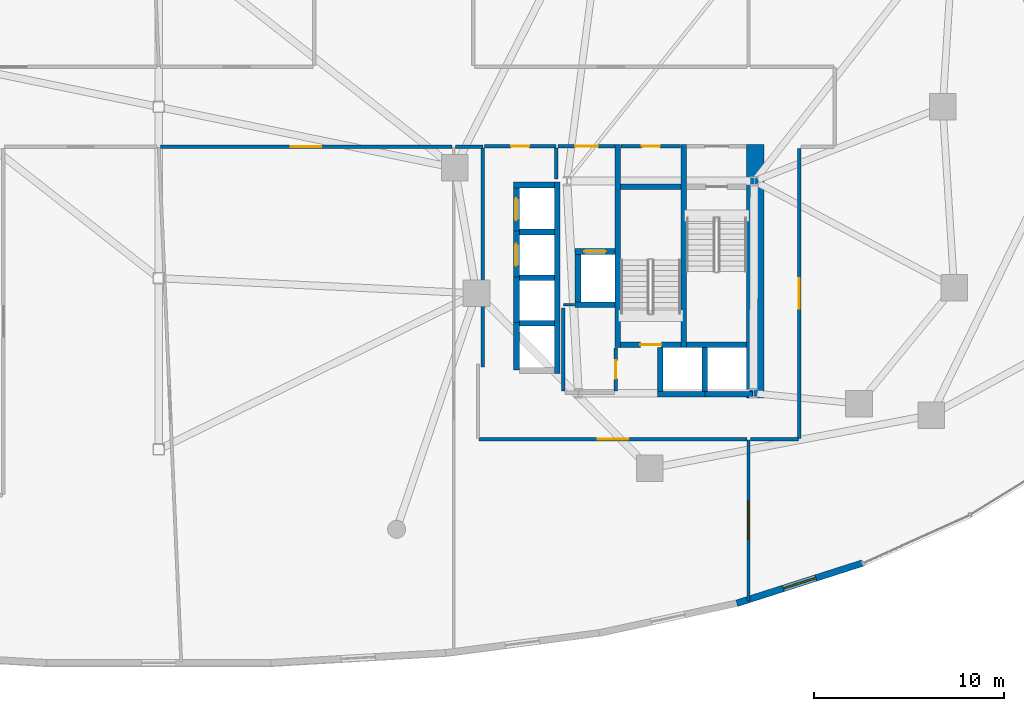
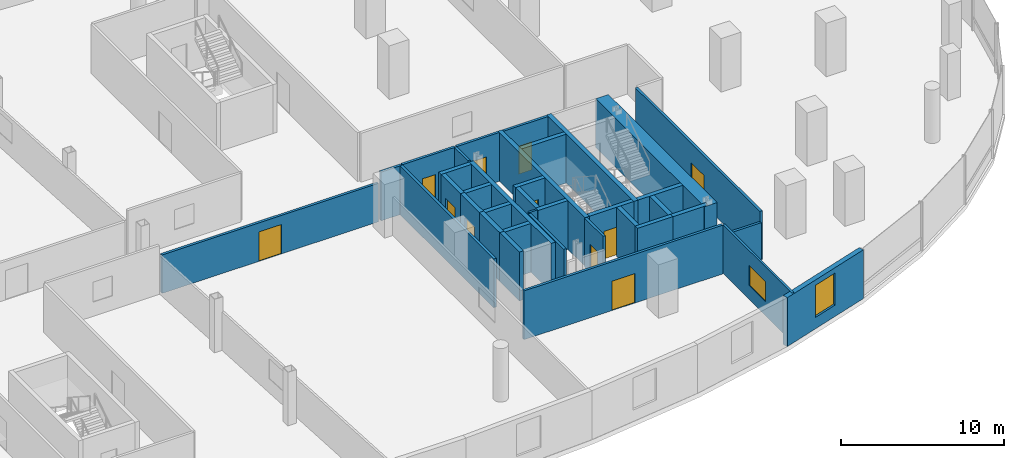
# One storey, part 15 of 19: 37 walls, 11 doors, 2 windows, 13 openings.
"""IFC4 building model written with IfcOpenShell, lengths in metres."""

from ifc_helpers import new_model, si_unit, direction, frame, frame_2d, origin, place, context, subcontext, project, spatial, rectangle, extrude, material, layer, layer_set, type_object, element, fill, save


model = new_model("IFC4")

# Units and contexts
model_context = context("Model", 3, precision=1e-05, world=origin(), true_north=direction((0.0, 1.0)))
body_context = subcontext(model_context, "Body", "Model", "MODEL_VIEW")
ifc_project = project(units=[si_unit("LENGTHUNIT", "METRE"), si_unit("AREAUNIT", "SQUARE_METRE"), si_unit("VOLUMEUNIT", "CUBIC_METRE"), si_unit("PLANEANGLEUNIT", "RADIAN"), si_unit("MASSUNIT", "GRAM", prefix="KILO"), si_unit("THERMODYNAMICTEMPERATUREUNIT", "KELVIN"), si_unit("POWERUNIT", "WATT")], contexts=[model_context])

# Site, building, storey
site_placement = place(None, origin())
site = spatial("IfcSite", under=ifc_project, at=site_placement, CompositionType="ELEMENT")
building_placement = place(site_placement, origin())
building = spatial("IfcBuilding", under=site, at=building_placement, Name="Cundina Bronze Exchange", CompositionType="ELEMENT")
storey_placement = place(building_placement, frame((0.0, 0.0, 16.0)))
storey = spatial("IfcBuildingStorey", under=building, at=storey_placement, Name="L03", CompositionType="ELEMENT", Elevation=16.0)

# Wall
ifc_material_1 = material(Name="Gypsum Fireboard Partition EI120")
ifc_layer_1 = layer(ifc_material_1, 0.179931640625, Name="Gypsum Fireboard Partition EI120")
ifc_layer_set_1 = layer_set([ifc_layer_1], Name="Gypsum Fireboard Partition EI120")
wall_type_1 = type_object("IfcWallType", Name="WL-COR-180", PredefinedType="PARTITIONING", material=ifc_layer_set_1)
wall_1_placement = place(storey_placement, frame((20.889892578125, -3.800048828125, 0.0), z_axis=(0.0, 0.0, 1.0), x_axis=(0.0, 1.0, 0.0)))
element("IfcWall", 1, at=wall_1_placement, inside=storey, type_object=wall_type_1, Name="L03 E Firefighting Lobby Side Wall", PredefinedType="PARTITIONING", context=body_context, shape_type="SweptSolid", body=[
    extrude(rectangle(XDim=1.650146484375, YDim=0.179931640625, at=frame_2d((0.8251953125, 0.0))), origin(), (0.0, 0.0, 1.0), 3.64990234375),
])

# Wall, opening, door
wall_2_placement = place(storey_placement, frame((20.97998046875, -2.06005859375, 0.0), z_axis=(0.0, 0.0, 1.0), x_axis=(1.0, 0.0, 0.0)))
wall_2 = element("IfcWall", 2, at=wall_2_placement, inside=storey, type_object=wall_type_1, Name="L03 E Firefighting Lobby Exit Wall", PredefinedType="PARTITIONING", context=body_context, shape_type="SweptSolid", body=[
    extrude(rectangle(XDim=3.0, YDim=0.179931640625, at=frame_2d((1.5, 0.0))), origin(), (0.0, 0.0, 1.0), 3.64990234375),
])
opening_1_placement = place(wall_2_placement, frame((0.89990234375, 0.0, 0.0)))
opening_1 = element("IfcOpeningElement", 3, at=opening_1_placement, cuts=wall_2, Name="Opening DF-01", PredefinedType="OPENING", context=body_context, shape_type="SweptSolid", body=[
    extrude(rectangle(XDim=1.199951171875, YDim=2.14990234375, at=frame_2d((0.60009765625, 1.074951171875))), frame((0.0, 0.099853515625, 0.0), z_axis=(0.0, -1.0, 0.0), x_axis=(1.0, 0.0, 0.0)), (0.0, 0.0, 1.0), 0.199951171875),
])
ifc_material_2 = material(Name="Steel ASTM A36 Painted", Category="steel")
door_type_1 = type_object("IfcDoorType", Name="DR-FFL-1200", OperationType="NOTDEFINED", PredefinedType="DOOR", material=ifc_material_2)
door_1_placement = place(opening_1_placement, origin())
door_1 = element("IfcDoor", 4, at=door_1_placement, inside=storey, type_object=door_type_1, Name="L03 E Firefighting Lobby Door", OperationType="SINGLE_SWING_LEFT", OverallHeight=2.14990234375, OverallWidth=1.199951171875, PredefinedType="DOOR", context=body_context, shape_type="SweptSolid", body=[
    extrude(rectangle(XDim=1.199951171875, YDim=2.14990234375, at=frame_2d((0.60009765625, 1.074951171875))), frame((0.0, 0.02490234375, 0.0), z_axis=(0.0, -1.0, 0.0), x_axis=(1.0, 0.0, 0.0)), (0.0, 0.0, 1.0), 0.050048828125),
])
fill(opening_1, door_1)

# Wall
wall_3_placement = place(storey_placement, frame((17.02001953125, -13.679931640625, 0.0), z_axis=(0.0, 0.0, 1.0), x_axis=(0.0, 1.0, 0.0)))
element("IfcWall", 5, at=wall_3_placement, inside=storey, type_object=wall_type_1, Name="L03 Interior Partition 008", PredefinedType="PARTITIONING", context=body_context, shape_type="SweptSolid", body=[
    extrude(rectangle(XDim=11.510009765625, YDim=0.179931640625, at=frame_2d((5.7548828125, 0.0))), origin(), (0.0, 0.0, 1.0), 3.64990234375),
])

# Wall, opening, door
wall_4_placement = place(storey_placement, frame((17.1201171875, -2.070068359375, 0.0), z_axis=(0.0, 0.0, 1.0), x_axis=(1.0, 0.0, 0.0)))
wall_4 = element("IfcWall", 6, at=wall_4_placement, inside=storey, type_object=wall_type_1, Name="L03 Interior Partition 009", PredefinedType="PARTITIONING", context=body_context, shape_type="SweptSolid", body=[
    extrude(rectangle(XDim=3.75, YDim=0.179931640625, at=frame_2d((1.875, 0.0))), origin(), (0.0, 0.0, 1.0), 3.64990234375),
])
opening_2_placement = place(wall_4_placement, frame((1.39990234375, 0.0, 0.0)))
opening_2 = element("IfcOpeningElement", 7, at=opening_2_placement, cuts=wall_4, Name="Opening DW-01", PredefinedType="OPENING", context=body_context, shape_type="SweptSolid", body=[
    extrude(rectangle(XDim=0.949951171875, YDim=2.10009765625, at=frame_2d((0.47509765625, 1.050048828125))), frame((0.0, 0.099853515625, 0.0), z_axis=(0.0, -1.0, 0.0), x_axis=(1.0, 0.0, 0.0)), (0.0, 0.0, 1.0), 0.199951171875),
])
ifc_material_3 = material(Name="Solid Andean Oak Timber Grade A", Category="wood")
door_type_2 = type_object("IfcDoorType", Name="DR-WC-950", OperationType="NOTDEFINED", PredefinedType="DOOR", material=ifc_material_3)
door_2_placement = place(opening_2_placement, origin())
door_2 = element("IfcDoor", 8, at=door_2_placement, inside=storey, type_object=door_type_2, Name="L03 Interior Door 009", OperationType="SINGLE_SWING_RIGHT", OverallHeight=2.10009765625, OverallWidth=0.949951171875, PredefinedType="DOOR", context=body_context, shape_type="SweptSolid", body=[
    extrude(rectangle(XDim=0.949951171875, YDim=2.10009765625, at=frame_2d((0.47509765625, 1.050048828125))), frame((0.0, 0.02490234375, 0.0), z_axis=(0.0, -1.0, 0.0), x_axis=(1.0, 0.0, 0.0)), (0.0, 0.0, 1.0), 0.050048828125),
])
fill(opening_2, door_2)

# Wall
wall_5_placement = place(storey_placement, frame((21.25, -14.929931640625, 0.0), z_axis=(0.0, 0.0, 1.0), x_axis=(0.0, 1.0, 0.0)))
element("IfcWall", 9, at=wall_5_placement, inside=storey, type_object=wall_type_1, Name="L03 Interior Partition 011", PredefinedType="PARTITIONING", context=body_context, shape_type="SweptSolid", body=[
    extrude(rectangle(XDim=4.35986328125, YDim=0.179931640625, at=frame_2d((2.179931640625, 0.0))), origin(), (0.0, 0.0, 1.0), 3.64990234375),
])

# Wall, opening, door
wall_6_placement = place(storey_placement, frame((24.300048828125, -2.070068359375, 0.0), z_axis=(0.0, 0.0, 1.0), x_axis=(1.0, 0.0, 0.0)))
wall_6 = element("IfcWall", 10, at=wall_6_placement, inside=storey, type_object=wall_type_1, Name="L03 Interior Partition 013", PredefinedType="PARTITIONING", context=body_context, shape_type="SweptSolid", body=[
    extrude(rectangle(XDim=3.119873046875, YDim=0.179931640625, at=frame_2d((1.56005859375, 0.0))), origin(), (0.0, 0.0, 1.0), 3.64990234375),
])
opening_3_placement = place(wall_6_placement, frame((1.0849609375, 0.0, 0.0)))
opening_3 = element("IfcOpeningElement", 11, at=opening_3_placement, cuts=wall_6, Name="Opening DW-01", PredefinedType="OPENING", context=body_context, shape_type="SweptSolid", body=[
    extrude(rectangle(XDim=0.949951171875, YDim=2.10009765625, at=frame_2d((0.47509765625, 1.050048828125))), frame((0.0, 0.099853515625, 0.0), z_axis=(0.0, -1.0, 0.0), x_axis=(1.0, 0.0, 0.0)), (0.0, 0.0, 1.0), 0.199951171875),
])
door_3_placement = place(opening_3_placement, origin())
door_3 = element("IfcDoor", 12, at=door_3_placement, inside=storey, type_object=door_type_2, Name="L03 Interior Door 013", OperationType="SINGLE_SWING_RIGHT", OverallHeight=2.10009765625, OverallWidth=0.949951171875, PredefinedType="DOOR", context=body_context, shape_type="SweptSolid", body=[
    extrude(rectangle(XDim=0.949951171875, YDim=2.10009765625, at=frame_2d((0.47509765625, 1.050048828125))), frame((0.0, 0.02490234375, 0.0), z_axis=(0.0, -1.0, 0.0), x_axis=(1.0, 0.0, 0.0)), (0.0, 0.0, 1.0), 0.050048828125),
])
fill(opening_3, door_3)

wall_7_placement = place(storey_placement, frame((24.02001953125, -14.929931640625, 0.0), z_axis=(0.0, 0.0, 1.0), x_axis=(0.0, 1.0, 0.0)))
wall_7 = element("IfcWall", 13, at=wall_7_placement, inside=storey, type_object=wall_type_1, Name="L03 Interior Partition 014", PredefinedType="PARTITIONING", context=body_context, shape_type="SweptSolid", body=[
    extrude(rectangle(XDim=2.260009765625, YDim=0.179931640625, at=frame_2d((1.1298828125, 0.0))), origin(), (0.0, 0.0, 1.0), 3.64990234375),
])
opening_4_placement = place(wall_7_placement, frame((0.655029296875, 0.0, 0.0)))
opening_4 = element("IfcOpeningElement", 14, at=opening_4_placement, cuts=wall_7, Name="Opening DW-01", PredefinedType="OPENING", context=body_context, shape_type="SweptSolid", body=[
    extrude(rectangle(XDim=0.949951171875, YDim=2.10009765625, at=frame_2d((0.47509765625, 1.050048828125))), frame((0.0, 0.099853515625, 0.0), z_axis=(0.0, -1.0, 0.0), x_axis=(1.0, 0.0, 0.0)), (0.0, 0.0, 1.0), 0.199951171875),
])
door_4_placement = place(opening_4_placement, origin())
door_4 = element("IfcDoor", 15, at=door_4_placement, inside=storey, type_object=door_type_2, Name="L03 Interior Door 014", OperationType="SINGLE_SWING_RIGHT", OverallHeight=2.10009765625, OverallWidth=0.949951171875, PredefinedType="DOOR", context=body_context, shape_type="SweptSolid", body=[
    extrude(rectangle(XDim=0.949951171875, YDim=2.10009765625, at=frame_2d((0.47509765625, 1.050048828125))), frame((0.0, 0.02490234375, 0.0), z_axis=(0.0, -1.0, 0.0), x_axis=(1.0, 0.0, 0.0)), (0.0, 0.0, 1.0), 0.050048828125),
])
fill(opening_4, door_4)

wall_8_placement = place(storey_placement, frame((16.821533203125, -17.469970703125, 0.0), z_axis=(0.0, 0.0, 1.0), x_axis=(1.0, 0.0, 0.0)))
wall_8 = element("IfcWall", 16, at=wall_8_placement, inside=storey, type_object=wall_type_1, Name="L03 Interior Partition 035", PredefinedType="PARTITIONING", context=body_context, shape_type="SweptSolid", body=[
    extrude(rectangle(XDim=14.08349609375, YDim=0.179931640625, at=frame_2d((7.041748046875, 0.0))), origin(), (0.0, 0.0, 1.0), 3.64990234375),
])
opening_5_placement = place(wall_8_placement, frame((6.24169921875, 0.0, 0.0)))
opening_5 = element("IfcOpeningElement", 17, at=opening_5_placement, cuts=wall_8, Name="Opening DO-02", PredefinedType="OPENING", context=body_context, shape_type="SweptSolid", body=[
    extrude(rectangle(XDim=1.60009765625, YDim=2.199951171875, at=frame_2d((0.800048828125, 1.10009765625))), frame((0.0, 0.099853515625, 0.0), z_axis=(0.0, -1.0, 0.0), x_axis=(1.0, 0.0, 0.0)), (0.0, 0.0, 1.0), 0.199951171875),
])
door_type_3 = type_object("IfcDoorType", Name="DR-TRD-1600", OperationType="NOTDEFINED", PredefinedType="DOOR", material=ifc_material_3)
door_5_placement = place(opening_5_placement, origin())
door_5 = element("IfcDoor", 18, at=door_5_placement, inside=storey, type_object=door_type_3, Name="L03 Interior Door 035", OperationType="SINGLE_SWING_RIGHT", OverallHeight=2.199951171875, OverallWidth=1.60009765625, PredefinedType="DOOR", context=body_context, shape_type="SweptSolid", body=[
    extrude(rectangle(XDim=1.60009765625, YDim=2.199951171875, at=frame_2d((0.800048828125, 1.10009765625))), frame((0.0, 0.02490234375, 0.0), z_axis=(0.0, -1.0, 0.0), x_axis=(1.0, 0.0, 0.0)), (0.0, 0.0, 1.0), 0.050048828125),
])
fill(opening_5, door_5)

# Wall
wall_9_placement = place(storey_placement, frame((15.594970703125, -2.10009765625, 0.0), z_axis=(0.0, 0.0, 1.0), x_axis=(1.0, 0.0, 0.0)))
element("IfcWall", 19, at=wall_9_placement, inside=storey, type_object=wall_type_1, Name="L03 Interior Partition 037", PredefinedType="PARTITIONING", context=body_context, shape_type="SweptSolid", body=[
    extrude(rectangle(XDim=1.445068359375, YDim=0.179931640625, at=frame_2d((0.72265625, 0.0))), origin(), (0.0, 0.0, 1.0), 3.64990234375),
])

# Wall, opening, door
wall_10_placement = place(storey_placement, frame((0.094970703125, -2.10009765625, 0.0), z_axis=(0.0, 0.0, 1.0), x_axis=(1.0, 0.0, 0.0)))
wall_10 = element("IfcWall", 20, at=wall_10_placement, inside=storey, type_object=wall_type_1, Name="L03 Interior Partition 041", PredefinedType="PARTITIONING", context=body_context, shape_type="SweptSolid", body=[
    extrude(rectangle(XDim=15.31005859375, YDim=0.179931640625, at=frame_2d((7.655029296875, 0.0))), origin(), (0.0, 0.0, 1.0), 2.876953125),
])
opening_6_placement = place(wall_10_placement, frame((6.85498046875, 0.0, 0.0)))
opening_6 = element("IfcOpeningElement", 21, at=opening_6_placement, cuts=wall_10, Name="Opening DO-02", PredefinedType="OPENING", context=body_context, shape_type="SweptSolid", body=[
    extrude(rectangle(XDim=1.60009765625, YDim=2.199951171875, at=frame_2d((0.800048828125, 1.10009765625))), frame((0.0, 0.099853515625, 0.0), z_axis=(0.0, -1.0, 0.0), x_axis=(1.0, 0.0, 0.0)), (0.0, 0.0, 1.0), 0.199951171875),
])
door_6_placement = place(opening_6_placement, origin())
door_6 = element("IfcDoor", 22, at=door_6_placement, inside=storey, type_object=door_type_3, Name="L03 Interior Door 041", OperationType="SINGLE_SWING_LEFT", OverallHeight=2.199951171875, OverallWidth=1.60009765625, PredefinedType="DOOR", context=body_context, shape_type="SweptSolid", body=[
    extrude(rectangle(XDim=1.60009765625, YDim=2.199951171875, at=frame_2d((0.800048828125, 1.10009765625))), frame((0.0, 0.02490234375, 0.0), z_axis=(0.0, -1.0, 0.0), x_axis=(1.0, 0.0, 0.0)), (0.0, 0.0, 1.0), 0.050048828125),
])
fill(opening_6, door_6)

wall_11_placement = place(storey_placement, frame((33.669921875, -17.428466796875, 0.0), z_axis=(0.0, 0.0, 1.0), x_axis=(0.0, 1.0, 0.0)))
wall_11 = element("IfcWall", 23, at=wall_11_placement, inside=storey, type_object=wall_type_1, Name="L03 Interior Partition 049", PredefinedType="PARTITIONING", context=body_context, shape_type="SweptSolid", body=[
    extrude(rectangle(XDim=15.24853515625, YDim=0.179931640625, at=frame_2d((7.624267578125, 0.0))), origin(), (0.0, 0.0, 1.0), 3.64990234375),
])
opening_7_placement = place(wall_11_placement, frame((6.82421875, 0.0, 0.0)))
opening_7 = element("IfcOpeningElement", 24, at=opening_7_placement, cuts=wall_11, Name="Opening DO-02", PredefinedType="OPENING", context=body_context, shape_type="SweptSolid", body=[
    extrude(rectangle(XDim=1.60009765625, YDim=2.199951171875, at=frame_2d((0.800048828125, 1.10009765625))), frame((0.0, 0.099853515625, 0.0), z_axis=(0.0, -1.0, 0.0), x_axis=(1.0, 0.0, 0.0)), (0.0, 0.0, 1.0), 0.199951171875),
])
door_7_placement = place(opening_7_placement, origin())
door_7 = element("IfcDoor", 25, at=door_7_placement, inside=storey, type_object=door_type_3, Name="L03 Interior Door 049", OperationType="SINGLE_SWING_LEFT", OverallHeight=2.199951171875, OverallWidth=1.60009765625, PredefinedType="DOOR", context=body_context, shape_type="SweptSolid", body=[
    extrude(rectangle(XDim=1.60009765625, YDim=2.199951171875, at=frame_2d((0.800048828125, 1.10009765625))), frame((0.0, 0.02490234375, 0.0), z_axis=(0.0, -1.0, 0.0), x_axis=(1.0, 0.0, 0.0)), (0.0, 0.0, 1.0), 0.050048828125),
])
fill(opening_7, door_7)

# Walls
wall_12_placement = place(storey_placement, frame((31.094970703125, -17.469970703125, 0.0), z_axis=(0.0, 0.0, 1.0), x_axis=(1.0, 0.0, 0.0)))
element("IfcWall", 26, at=wall_12_placement, inside=storey, type_object=wall_type_1, Name="L03 Interior Partition 052", PredefinedType="PARTITIONING", context=body_context, shape_type="SweptSolid", body=[
    extrude(rectangle(XDim=2.533447265625, YDim=0.179931640625, at=frame_2d((1.2666015625, 0.0))), origin(), (0.0, 0.0, 1.0), 2.876953125),
])
ifc_material_4 = material(Name="Concrete C60/75", Category="concrete")
ifc_layer_2 = layer(ifc_material_4, 0.89990234375, Name="Concrete C60/75", Category="concrete")
ifc_layer_set_2 = layer_set([ifc_layer_2], Name="Concrete C60/75")
wall_type_2 = type_object("IfcWallType", Name="WL-CORE-900", PredefinedType="SHEAR", material=ifc_layer_set_2)
wall_13_placement = place(storey_placement, frame((31.35009765625, -15.300048828125, 0.0), z_axis=(0.0, 0.0, 1.0), x_axis=(0.0, 1.0, 0.0)))
element("IfcWall", 27, at=wall_13_placement, inside=storey, type_object=wall_type_2, Name="L03 E Primary Core Shear Spine Wall", PredefinedType="SHEAR", context=body_context, shape_type="SweptSolid", body=[
    extrude(rectangle(XDim=13.330078125, YDim=0.89990234375, at=frame_2d((6.6650390625, 0.0))), origin(), (0.0, 0.0, 1.0), 3.64990234375),
])

# Wall, opening, window
ifc_material_5 = material(Name="Concrete C40/50", Category="concrete")
ifc_layer_3 = layer(ifc_material_5, 0.35009765625, Name="Concrete C40/50", Category="concrete")
ifc_layer_set_3 = layer_set([ifc_layer_3], Name="Concrete C40/50")
wall_type_3 = type_object("IfcWallType", Name="WL-EXT-350", PredefinedType="SOLIDWALL", material=ifc_layer_set_3)
wall_14_placement = place(storey_placement, frame((30.379150390625, -26.088623046875, 0.0), z_axis=(0.0, 0.0, 1.0), x_axis=(0.952587993211, 0.304263233385, 0.0)))
wall_14 = element("IfcWall", 28, at=wall_14_placement, inside=storey, type_object=wall_type_3, Name="L03 Podium Exterior Wall 36", PredefinedType="SOLIDWALL", context=body_context, shape_type="SweptSolid", body=[
    extrude(rectangle(XDim=6.931884765625, YDim=0.35009765625, at=frame_2d((3.4658203125, 0.0))), origin(), (0.0, 0.0, 1.0), 3.64990234375),
])
opening_8_placement = place(wall_14_placement, frame((2.56591796875, 0.0, 0.85009765625)))
opening_8 = element("IfcOpeningElement", 29, at=opening_8_placement, cuts=wall_14, Name="Opening W-02", PredefinedType="OPENING", context=body_context, shape_type="SweptSolid", body=[
    extrude(rectangle(XDim=1.800048828125, YDim=2.39990234375, at=frame_2d((0.89990234375, 1.199951171875))), frame((0.0, 0.18505859375, 0.0), z_axis=(0.0, -1.0, 0.0), x_axis=(1.0, 0.0, 0.0)), (0.0, 0.0, 1.0), 0.3701171875),
])
ifc_material_6 = material(Name="Heat-Strengthened Solar-Control Bronze Safety Glass 28mm", Category="glass")
window_type_1 = type_object("IfcWindowType", Name="WN-POD-1800", PartitioningType="SINGLE_PANEL", PredefinedType="WINDOW", material=ifc_material_6)
window_1_placement = place(opening_8_placement, origin())
window_1 = element("IfcWindow", 30, at=window_1_placement, inside=storey, type_object=window_type_1, Name="L03 Podium Punched Window 36", OverallHeight=2.39990234375, OverallWidth=1.800048828125, PartitioningType="SINGLE_PANEL", PredefinedType="WINDOW", context=body_context, shape_type="SweptSolid", body=[
    extrude(rectangle(XDim=1.800048828125, YDim=2.39990234375, at=frame_2d((0.89990234375, 1.199951171875))), frame((0.0, 0.030029296875, 0.0), z_axis=(0.0, -1.0, 0.0), x_axis=(1.0, 0.0, 0.0)), (0.0, 0.0, 1.0), 0.06005859375),
])
fill(opening_8, window_1)

# Walls
ifc_material_7 = material(Name="Concrete C50/60", Category="concrete")
ifc_layer_4 = layer(ifc_material_7, 0.300048828125, Name="Concrete C50/60", Category="concrete")
ifc_layer_set_4 = layer_set([ifc_layer_4], Name="Concrete C50/60")
wall_type_4 = type_object("IfcWallType", Name="WL-SHFT-300", PredefinedType="SHEAR", material=ifc_layer_set_4)
for number, where, z_axis, x_axis, name in (
    (31, (27.590087890625, -12.64990234375, 0.0), (0.0, 0.0, 1.0), (0.0, 1.0, 0.0), "L03 E Stair Shaft Dividing Shear Wall"),
    (32, (24.1298828125, -12.64990234375, 0.0), (0.0, 0.0, 1.0), (0.0, 1.0, 0.0), "L03 E Stair 2 East Shear Wall"),
):
    element("IfcWall", number, at=place(storey_placement, frame(where, z_axis=z_axis, x_axis=x_axis)), inside=storey, type_object=wall_type_4, Name=name, PredefinedType="SHEAR", context=body_context, shape_type="SweptSolid", body=[
        extrude(rectangle(XDim=10.679931640625, YDim=0.300048828125, at=frame_2d((5.33984375, 0.0))), origin(), (0.0, 0.0, 1.0), 3.64990234375),
    ])
wall_15_placement = place(storey_placement, frame((27.739990234375, -12.5, 0.0), z_axis=(0.0, 0.0, 1.0), x_axis=(1.0, 0.0, 0.0)))
element("IfcWall", 33, at=wall_15_placement, inside=storey, type_object=wall_type_4, Name="L03 Stair E1 Far Shaft Wall", PredefinedType="SHEAR", context=body_context, shape_type="SweptSolid", body=[
    extrude(rectangle(XDim=3.159912109375, YDim=0.300048828125, at=frame_2d((1.580078125, 0.0))), origin(), (0.0, 0.0, 1.0), 3.64990234375),
])

# Wall, opening, door
wall_16_placement = place(storey_placement, frame((24.280029296875, -12.5, 0.0), z_axis=(0.0, 0.0, 1.0), x_axis=(1.0, 0.0, 0.0)))
wall_16 = element("IfcWall", 34, at=wall_16_placement, inside=storey, type_object=wall_type_4, Name="L03 Stair E2 Landing Wall", PredefinedType="SHEAR", context=body_context, shape_type="SweptSolid", body=[
    extrude(rectangle(XDim=3.159912109375, YDim=0.300048828125, at=frame_2d((1.580078125, 0.0))), origin(), (0.0, 0.0, 1.0), 3.64990234375),
])
opening_9_placement = place(wall_16_placement, frame((1.030029296875, 0.0, 0.0)))
opening_9 = element("IfcOpeningElement", 35, at=opening_9_placement, cuts=wall_16, Name="Opening DS-01", PredefinedType="OPENING", context=body_context, shape_type="SweptSolid", body=[
    extrude(rectangle(XDim=1.10009765625, YDim=2.14990234375, at=frame_2d((0.550048828125, 1.074951171875))), frame((0.0, 0.159912109375, 0.0), z_axis=(0.0, -1.0, 0.0), x_axis=(1.0, 0.0, 0.0)), (0.0, 0.0, 1.0), 0.320068359375),
])
door_type_4 = type_object("IfcDoorType", Name="DR-STR-1100", OperationType="NOTDEFINED", PredefinedType="DOOR", material=ifc_material_2)
door_8_placement = place(opening_9_placement, origin())
door_8 = element("IfcDoor", 36, at=door_8_placement, inside=storey, type_object=door_type_4, Name="L03 Smokeproof Stair E2 Door", OperationType="SINGLE_SWING_RIGHT", OverallHeight=2.14990234375, OverallWidth=1.10009765625, PredefinedType="DOOR", context=body_context, shape_type="SweptSolid", body=[
    extrude(rectangle(XDim=1.10009765625, YDim=2.14990234375, at=frame_2d((0.550048828125, 1.074951171875))), frame((0.0, 0.02490234375, 0.0), z_axis=(0.0, -1.0, 0.0), x_axis=(1.0, 0.0, 0.0)), (0.0, 0.0, 1.0), 0.050048828125),
])
fill(opening_9, door_8)

# Wall
wall_17_placement = place(storey_placement, frame((24.280029296875, -4.199951171875, 0.0), z_axis=(0.0, 0.0, 1.0), x_axis=(1.0, 0.0, 0.0)))
element("IfcWall", 37, at=wall_17_placement, inside=storey, type_object=wall_type_4, Name="L03 Stair E2 Far Shaft Wall", PredefinedType="SHEAR", context=body_context, shape_type="SweptSolid", body=[
    extrude(rectangle(XDim=3.159912109375, YDim=0.300048828125, at=frame_2d((1.580078125, 0.0))), origin(), (0.0, 0.0, 1.0), 3.64990234375),
])

# Wall, opening, door
wall_18_placement = place(storey_placement, frame((21.8798828125, -7.60009765625, 0.0), z_axis=(0.0, 0.0, 1.0), x_axis=(1.0, 0.0, 0.0)))
wall_18 = element("IfcWall", 38, at=wall_18_placement, inside=storey, type_object=wall_type_4, Name="L03 FFL-E Hoistway Front Wall", PredefinedType="SHEAR", context=body_context, shape_type="SweptSolid", body=[
    extrude(rectangle(XDim=2.10009765625, YDim=0.300048828125, at=frame_2d((1.050048828125, 0.0))), origin(), (0.0, 0.0, 1.0), 3.64990234375),
])
opening_10_placement = place(wall_18_placement, frame((0.47509765625, 0.0, 0.0)))
opening_10 = element("IfcOpeningElement", 39, at=opening_10_placement, cuts=wall_18, Name="Opening LD-01", PredefinedType="OPENING", context=body_context, shape_type="SweptSolid", body=[
    extrude(rectangle(XDim=1.14990234375, YDim=2.199951171875, at=frame_2d((0.574951171875, 1.10009765625))), frame((0.0, 0.159912109375, 0.0), z_axis=(0.0, -1.0, 0.0), x_axis=(1.0, 0.0, 0.0)), (0.0, 0.0, 1.0), 0.320068359375),
])
door_type_5 = type_object("IfcDoorType", Name="DR-LND-1150", OperationType="NOTDEFINED", PredefinedType="TRAPDOOR", material=ifc_material_2)
door_9_placement = place(opening_10_placement, origin())
door_9 = element("IfcDoor", 40, at=door_9_placement, inside=storey, type_object=door_type_5, Name="L03 FFL-E Sliding Landing Door", OperationType="SLIDING_TO_LEFT", OverallHeight=2.199951171875, OverallWidth=1.14990234375, PredefinedType="TRAPDOOR", context=body_context, shape_type="SweptSolid", body=[
    extrude(rectangle(XDim=1.14990234375, YDim=2.199951171875, at=frame_2d((0.574951171875, 1.10009765625))), frame((0.0, 0.02490234375, 0.0), z_axis=(0.0, -1.0, 0.0), x_axis=(1.0, 0.0, 0.0)), (0.0, 0.0, 1.0), 0.050048828125),
])
fill(opening_10, door_9)

# Walls
wall_19_placement = place(storey_placement, frame((21.8798828125, -10.39990234375, 0.0), z_axis=(0.0, 0.0, 1.0), x_axis=(1.0, 0.0, 0.0)))
element("IfcWall", 41, at=wall_19_placement, inside=storey, type_object=wall_type_4, Name="L03 FFL-E Hoistway Back Wall", PredefinedType="SHEAR", context=body_context, shape_type="SweptSolid", body=[
    extrude(rectangle(XDim=2.10009765625, YDim=0.300048828125, at=frame_2d((1.050048828125, 0.0))), origin(), (0.0, 0.0, 1.0), 3.64990234375),
])
for number, where, z_axis, x_axis, name in (
    (42, (22.030029296875, -10.25, 0.0), (0.0, 0.0, 1.0), (0.0, 1.0, 0.0), "L03 FFL-E Hoistway Side Wall"),
    (43, (28.699951171875, -15.10009765625, 0.0), (0.0, 0.0, 1.0), (1.0, 0.0, 0.0), "L03 PH-E1 Hoistway Front Wall"),
):
    element("IfcWall", number, at=place(storey_placement, frame(where, z_axis=z_axis, x_axis=x_axis)), inside=storey, type_object=wall_type_4, Name=name, PredefinedType="SHEAR", context=body_context, shape_type="SweptSolid", body=[
        extrude(rectangle(XDim=2.5, YDim=0.300048828125, at=frame_2d((1.25, 0.0))), origin(), (0.0, 0.0, 1.0), 3.64990234375),
    ])
wall_20_placement = place(storey_placement, frame((28.699951171875, -14.949951171875, 0.0), z_axis=(0.0, 0.0, 1.0), x_axis=(0.0, 1.0, 0.0)))
element("IfcWall", 44, at=wall_20_placement, inside=storey, type_object=wall_type_4, Name="L03 PH-E1 Hoistway Divider Wall", PredefinedType="SHEAR", context=body_context, shape_type="SweptSolid", body=[
    extrude(rectangle(XDim=2.300048828125, YDim=0.300048828125, at=frame_2d((1.14990234375, 0.0))), origin(), (0.0, 0.0, 1.0), 3.64990234375),
])
wall_21_placement = place(storey_placement, frame((26.199951171875, -15.10009765625, 0.0), z_axis=(0.0, 0.0, 1.0), x_axis=(1.0, 0.0, 0.0)))
element("IfcWall", 45, at=wall_21_placement, inside=storey, type_object=wall_type_4, Name="L03 PH-E2 Hoistway Front Wall", PredefinedType="SHEAR", context=body_context, shape_type="SweptSolid", body=[
    extrude(rectangle(XDim=2.5, YDim=0.300048828125, at=frame_2d((1.25, 0.0))), origin(), (0.0, 0.0, 1.0), 3.64990234375),
])
wall_22_placement = place(storey_placement, frame((26.35009765625, -14.949951171875, 0.0), z_axis=(0.0, 0.0, 1.0), x_axis=(0.0, 1.0, 0.0)))
element("IfcWall", 46, at=wall_22_placement, inside=storey, type_object=wall_type_4, Name="L03 PH-E2 Hoistway Divider Wall", PredefinedType="SHEAR", context=body_context, shape_type="SweptSolid", body=[
    extrude(rectangle(XDim=2.300048828125, YDim=0.300048828125, at=frame_2d((1.14990234375, 0.0))), origin(), (0.0, 0.0, 1.0), 3.64990234375),
])
wall_23_placement = place(storey_placement, frame((20.949951171875, -14.0, 0.0), z_axis=(0.0, 0.0, 1.0), x_axis=(0.0, 1.0, 0.0)))
element("IfcWall", 47, at=wall_23_placement, inside=storey, type_object=wall_type_4, Name="L03 E Passenger Bank Hoistway Back Wall", PredefinedType="SHEAR", context=body_context, shape_type="SweptSolid", body=[
    extrude(rectangle(XDim=10.050048828125, YDim=0.300048828125, at=frame_2d((5.02490234375, 0.0))), origin(), (0.0, 0.0, 1.0), 3.64990234375),
])
wall_24_placement = place(storey_placement, frame((18.64990234375, -4.10009765625, 0.0), z_axis=(0.0, 0.0, 1.0), x_axis=(1.0, 0.0, 0.0)))
element("IfcWall", 48, at=wall_24_placement, inside=storey, type_object=wall_type_4, Name="L03 E Passenger Bank North Cap Wall", PredefinedType="SHEAR", context=body_context, shape_type="SweptSolid", body=[
    extrude(rectangle(XDim=2.150146484375, YDim=0.300048828125, at=frame_2d((1.0751953125, 0.0))), origin(), (0.0, 0.0, 1.0), 3.64990234375),
])
for number, where, z_axis, x_axis, name in (
    (49, (18.949951171875, -11.375, 0.0), (0.0, 0.0, 1.0), (1.0, 0.0, 0.0), "L03 E Passenger Hoistway Divider 1"),
    (50, (18.949951171875, -8.97509765625, 0.0), (0.0, 0.0, 1.0), (1.0, 0.0, 0.0), "L03 E Passenger Hoistway Divider 2"),
    (51, (18.949951171875, -6.574951171875, 0.0), (0.0, 0.0, 1.0), (1.0, 0.0, 0.0), "L03 E Passenger Hoistway Divider 3"),
):
    element("IfcWall", number, at=place(storey_placement, frame(where, z_axis=z_axis, x_axis=x_axis)), inside=storey, type_object=wall_type_4, Name=name, PredefinedType="SHEAR", context=body_context, shape_type="SweptSolid", body=[
        extrude(rectangle(XDim=1.85009765625, YDim=0.300048828125, at=frame_2d((0.925048828125, 0.0))), origin(), (0.0, 0.0, 1.0), 3.64990234375),
    ])
for number, where, z_axis, x_axis, name in (
    (52, (18.800048828125, -13.820068359375, 0.0), (0.0, 0.0, 1.0), (0.0, 1.0, 0.0), "L03 PM-E1 Hoistway Front Wall"),
    (53, (18.800048828125, -11.419921875, 0.0), (0.0, 0.0, 1.0), (0.0, 1.0, 0.0), "L03 PM-E2 Hoistway Front Wall"),
):
    element("IfcWall", number, at=place(storey_placement, frame(where, z_axis=z_axis, x_axis=x_axis)), inside=storey, type_object=wall_type_4, Name=name, PredefinedType="SHEAR", context=body_context, shape_type="SweptSolid", body=[
        extrude(rectangle(XDim=2.489990234375, YDim=0.300048828125, at=frame_2d((1.2451171875, 0.0))), origin(), (0.0, 0.0, 1.0), 3.64990234375),
    ])

# Wall, opening, door
wall_25_placement = place(storey_placement, frame((18.800048828125, -9.02001953125, 0.0), z_axis=(0.0, 0.0, 1.0), x_axis=(0.0, 1.0, 0.0)))
wall_25 = element("IfcWall", 54, at=wall_25_placement, inside=storey, type_object=wall_type_4, Name="L03 PL-E1 Hoistway Front Wall", PredefinedType="SHEAR", context=body_context, shape_type="SweptSolid", body=[
    extrude(rectangle(XDim=2.489990234375, YDim=0.300048828125, at=frame_2d((1.2451171875, 0.0))), origin(), (0.0, 0.0, 1.0), 3.64990234375),
])
opening_11_placement = place(wall_25_placement, frame((0.669921875, 0.0, 0.0)))
opening_11 = element("IfcOpeningElement", 55, at=opening_11_placement, cuts=wall_25, Name="Opening LD-01", PredefinedType="OPENING", context=body_context, shape_type="SweptSolid", body=[
    extrude(rectangle(XDim=1.14990234375, YDim=2.199951171875, at=frame_2d((0.574951171875, 1.10009765625))), frame((0.0, 0.159912109375, 0.0), z_axis=(0.0, -1.0, 0.0), x_axis=(1.0, 0.0, 0.0)), (0.0, 0.0, 1.0), 0.320068359375),
])
door_10_placement = place(opening_11_placement, origin())
door_10 = element("IfcDoor", 56, at=door_10_placement, inside=storey, type_object=door_type_5, Name="L03 PL-E1 Sliding Landing Door", OperationType="SLIDING_TO_LEFT", OverallHeight=2.199951171875, OverallWidth=1.14990234375, PredefinedType="TRAPDOOR", context=body_context, shape_type="SweptSolid", body=[
    extrude(rectangle(XDim=1.14990234375, YDim=2.199951171875, at=frame_2d((0.574951171875, 1.10009765625))), frame((0.0, 0.02490234375, 0.0), z_axis=(0.0, -1.0, 0.0), x_axis=(1.0, 0.0, 0.0)), (0.0, 0.0, 1.0), 0.050048828125),
])
fill(opening_11, door_10)

wall_26_placement = place(storey_placement, frame((18.800048828125, -6.6201171875, 0.0), z_axis=(0.0, 0.0, 1.0), x_axis=(0.0, 1.0, 0.0)))
wall_26 = element("IfcWall", 57, at=wall_26_placement, inside=storey, type_object=wall_type_4, Name="L03 PL-E2 Hoistway Front Wall", PredefinedType="SHEAR", context=body_context, shape_type="SweptSolid", body=[
    extrude(rectangle(XDim=2.490234375, YDim=0.300048828125, at=frame_2d((1.2451171875, 0.0))), origin(), (0.0, 0.0, 1.0), 3.64990234375),
])
opening_12_placement = place(wall_26_placement, frame((0.669921875, 0.0, 0.0)))
opening_12 = element("IfcOpeningElement", 58, at=opening_12_placement, cuts=wall_26, Name="Opening LD-01", PredefinedType="OPENING", context=body_context, shape_type="SweptSolid", body=[
    extrude(rectangle(XDim=1.14990234375, YDim=2.199951171875, at=frame_2d((0.574951171875, 1.10009765625))), frame((0.0, 0.159912109375, 0.0), z_axis=(0.0, -1.0, 0.0), x_axis=(1.0, 0.0, 0.0)), (0.0, 0.0, 1.0), 0.320068359375),
])
door_11_placement = place(opening_12_placement, origin())
door_11 = element("IfcDoor", 59, at=door_11_placement, inside=storey, type_object=door_type_5, Name="L03 PL-E2 Sliding Landing Door", OperationType="SLIDING_TO_LEFT", OverallHeight=2.199951171875, OverallWidth=1.14990234375, PredefinedType="TRAPDOOR", context=body_context, shape_type="SweptSolid", body=[
    extrude(rectangle(XDim=1.14990234375, YDim=2.199951171875, at=frame_2d((0.574951171875, 1.10009765625))), frame((0.0, 0.02490234375, 0.0), z_axis=(0.0, -1.0, 0.0), x_axis=(1.0, 0.0, 0.0)), (0.0, 0.0, 1.0), 0.050048828125),
])
fill(opening_12, door_11)

# Wall, opening, window
ifc_material_8 = material(Name="Gypsum Acoustic Partition EI60")
ifc_layer_5 = layer(ifc_material_8, 0.14990234375, Name="Gypsum Acoustic Partition EI60")
ifc_layer_set_5 = layer_set([ifc_layer_5], Name="Gypsum Acoustic Partition EI60")
wall_type_5 = type_object("IfcWallType", Name="WL-TEN-150", PredefinedType="PARTITIONING", material=ifc_layer_set_5)
wall_27_placement = place(storey_placement, frame((31.0, -25.97119140625, 0.0), z_axis=(0.0, 0.0, 1.0), x_axis=(0.0, 1.0, 0.0)))
wall_27 = element("IfcWall", 60, at=wall_27_placement, inside=storey, type_object=wall_type_5, Name="L03 Interior Partition 032", PredefinedType="PARTITIONING", context=body_context, shape_type="SweptSolid", body=[
    extrude(rectangle(XDim=8.47119140625, YDim=0.14990234375, at=frame_2d((4.235595703125, 0.0))), origin(), (0.0, 0.0, 1.0), 3.64990234375),
])
opening_13_placement = place(wall_27_placement, frame((3.236083984375, 0.0, 1.050048828125)))
opening_13 = element("IfcOpeningElement", 61, at=opening_13_placement, cuts=wall_27, Name="Opening WI-01", PredefinedType="OPENING", context=body_context, shape_type="SweptSolid", body=[
    extrude(rectangle(XDim=2.0, YDim=1.5, at=frame_2d((1.0, 0.75))), frame((0.0, 0.0849609375, 0.0), z_axis=(0.0, -1.0, 0.0), x_axis=(1.0, 0.0, 0.0)), (0.0, 0.0, 1.0), 0.169921875),
])
ifc_material_9 = material(Name="Clear Low-E Insulating Glass 26mm", Category="glass")
window_type_2 = type_object("IfcWindowType", Name="WN-INT-2000", PartitioningType="SINGLE_PANEL", PredefinedType="WINDOW", material=ifc_material_9)
window_2_placement = place(opening_13_placement, origin())
window_2 = element("IfcWindow", 62, at=window_2_placement, inside=storey, type_object=window_type_2, Name="L03 Interior Acoustic Vision Window 032", OverallHeight=1.5, OverallWidth=2.0, PartitioningType="SINGLE_PANEL", PredefinedType="WINDOW", context=body_context, shape_type="SweptSolid", body=[
    extrude(rectangle(XDim=2.0, YDim=1.5, at=frame_2d((1.0, 0.75))), frame((0.0, 0.030029296875, 0.0), z_axis=(0.0, -1.0, 0.0), x_axis=(1.0, 0.0, 0.0)), (0.0, 0.0, 1.0), 0.06005859375),
])
fill(opening_13, window_2)

# Wall
ifc_material_10 = material(Name="Moisture-Resistant Masonry Block Grade M15", Category="masonry")
ifc_layer_6 = layer(ifc_material_10, 0.139892578125, Name="Moisture-Resistant Masonry Block Grade M15", Category="masonry")
ifc_layer_set_6 = layer_set([ifc_layer_6], Name="Moisture-Resistant Masonry Block Grade M15")
wall_type_6 = type_object("IfcWallType", Name="WL-WET-140", PredefinedType="PARTITIONING", material=ifc_layer_set_6)
wall_28_placement = place(storey_placement, frame((21.27001953125, -10.39990234375, 0.0), z_axis=(0.0, 0.0, 1.0), x_axis=(1.0, 0.0, 0.0)))
element("IfcWall", 63, at=wall_28_placement, inside=storey, type_object=wall_type_6, Name="L03 Interior Partition 010", PredefinedType="PARTITIONING", context=body_context, shape_type="SweptSolid", body=[
    extrude(rectangle(XDim=0.590087890625, YDim=0.139892578125, at=frame_2d((0.294921875, 0.0))), origin(), (0.0, 0.0, 1.0), 3.64990234375),
])

save(model, "model.ifc")
